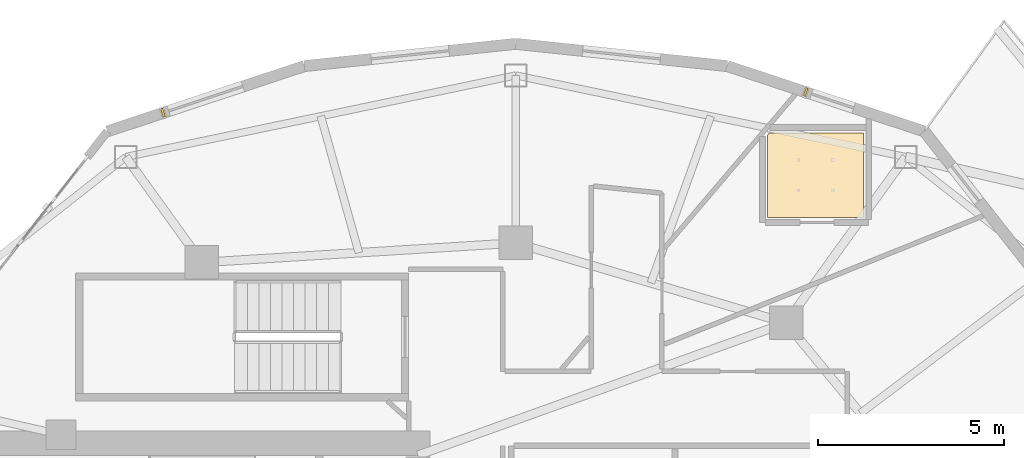
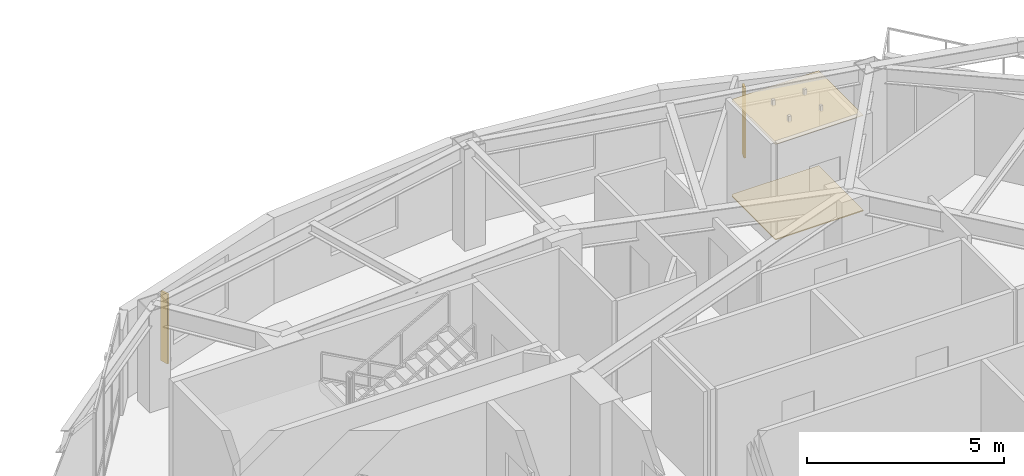
# One storey, part 16 of 16: 2 coverings, 2 shading devices.
"""IFC4 building model written with IfcOpenShell, lengths in metres."""

from ifc_helpers import new_model, si_unit, direction, frame, origin, origin_2d, place, context, subcontext, project, spatial, polyline, rectangle, outline, extrude, material, layer, layer_set, type_object, element, save


model = new_model("IFC4")

# Units and contexts
model_context = context("Model", 3, precision=1e-05, world=origin(), true_north=direction((0.0, 1.0)))
body_context = subcontext(model_context, "Body", "Model", "MODEL_VIEW")
ifc_project = project(units=[si_unit("LENGTHUNIT", "METRE"), si_unit("AREAUNIT", "SQUARE_METRE"), si_unit("VOLUMEUNIT", "CUBIC_METRE"), si_unit("PLANEANGLEUNIT", "RADIAN"), si_unit("MASSUNIT", "GRAM", prefix="KILO")], contexts=[model_context])

# Site, building, storey
site_placement = place(None, origin())
site = spatial("IfcSite", under=ifc_project, at=site_placement, CompositionType="ELEMENT")
building_placement = place(site_placement, origin())
building = spatial("IfcBuilding", under=site, at=building_placement, Name="Kolvaren Gate Tower and Convention Centre", CompositionType="ELEMENT")
storey_placement = place(building_placement, frame((0.0, 0.0, 149.5)))
storey = spatial("IfcBuildingStorey", under=building, at=storey_placement, Name="L38", CompositionType="ELEMENT", Elevation=149.5)

# Coverings
ifc_material_1 = material(Name="Perforated Mineral-Fibre Acoustic Ceiling Tile 18 mm", Category="gypsum")
ifc_layer_1 = layer(ifc_material_1, 0.01806640625)
ifc_layer_set_1 = layer_set([ifc_layer_1], Name="Perforated Mineral-Fibre Acoustic Ceiling Tile 18 mm")
covering_type_1 = type_object("IfcCoveringType", Name="ARCH-COV-CEIL-18", PredefinedType="CEILING", material=ifc_layer_set_1)
covering_1_placement = place(storey_placement, frame((0.0, 0.0, 2.949951171875)))
element("IfcCovering", 1, at=covering_1_placement, inside=storey, type_object=covering_type_1, Name="En-suite Bathroom (HTL-L38-09) Acoustic Suspended Ceiling", PredefinedType="CEILING", context=body_context, shape_type="SweptSolid", body=[
    extrude(outline(polyline([(39.4599609375, 42.159912109375), (39.4599609375, 39.889892578125), (36.889892578125, 39.889892578125), (36.889892578125, 42.10400390625), (36.93798828125, 42.159912109375), (39.4599609375, 42.159912109375)])), origin(), (0.0, 0.0, 1.0), 0.01806640625),
])
ifc_material_2 = material(Name="Honed Sabana Limestone Terrazzo Flooring 30 mm", Category="masonry")
ifc_layer_2 = layer(ifc_material_2, 0.030029296875)
ifc_layer_set_2 = layer_set([ifc_layer_2], Name="Honed Sabana Limestone Terrazzo Flooring 30 mm")
covering_type_2 = type_object("IfcCoveringType", Name="ARCH-COV-FLR-30", PredefinedType="FLOORING", material=ifc_layer_set_2)
covering_2_placement = place(storey_placement, origin())
element("IfcCovering", 2, at=covering_2_placement, inside=storey, type_object=covering_type_2, Name="En-suite Bathroom (HTL-L38-09) Interior Finish Flooring", PredefinedType="FLOORING", context=body_context, shape_type="SweptSolid", body=[
    extrude(outline(polyline([(39.4599609375, 42.159912109375), (39.4599609375, 39.889892578125), (36.889892578125, 39.889892578125), (36.889892578125, 42.10400390625), (36.93798828125, 42.159912109375), (39.4599609375, 42.159912109375)])), origin(), (0.0, 0.0, 1.0), 0.030029296875),
])

# Shading devices
ifc_material_3 = material(Name="Kiln-Fired Bogota Terracotta Ceramic Louvre Profile", Category="masonry")
shading_device_type = type_object("IfcShadingDeviceType", Name="ARCH-SHD-FIN-180", PredefinedType="JALOUSIE", material=ifc_material_3)
for number, where, z_axis, x_axis, name in (
    (3, (37.91015625, 43.253662109375, 0.219970703125), (0.0, 0.0, 1.0), (0.949239532616, -0.314554144335, 0.0), "Ceramic Vertical Brise-Soleil Fin FN-L38-04"),
    (4, (20.6533203125, 42.69482421875, 0.219970703125), (0.0, 0.0, 1.0), (0.949237885602, 0.314559114537, 0.0), "Ceramic Vertical Brise-Soleil Fin FN-L38-07"),
):
    element("IfcShadingDevice", number, at=place(storey_placement, frame(where, z_axis=z_axis, x_axis=x_axis)), inside=storey, type_object=shading_device_type, Name=name, PredefinedType="JALOUSIE", context=body_context, shape_type="SweptSolid", body=[
        extrude(rectangle(XDim=0.06005859375, YDim=0.239990234375, at=origin_2d()), origin(), (0.0, 0.0, 1.0), 2.14990234375),
    ])

save(model, "model.ifc")
